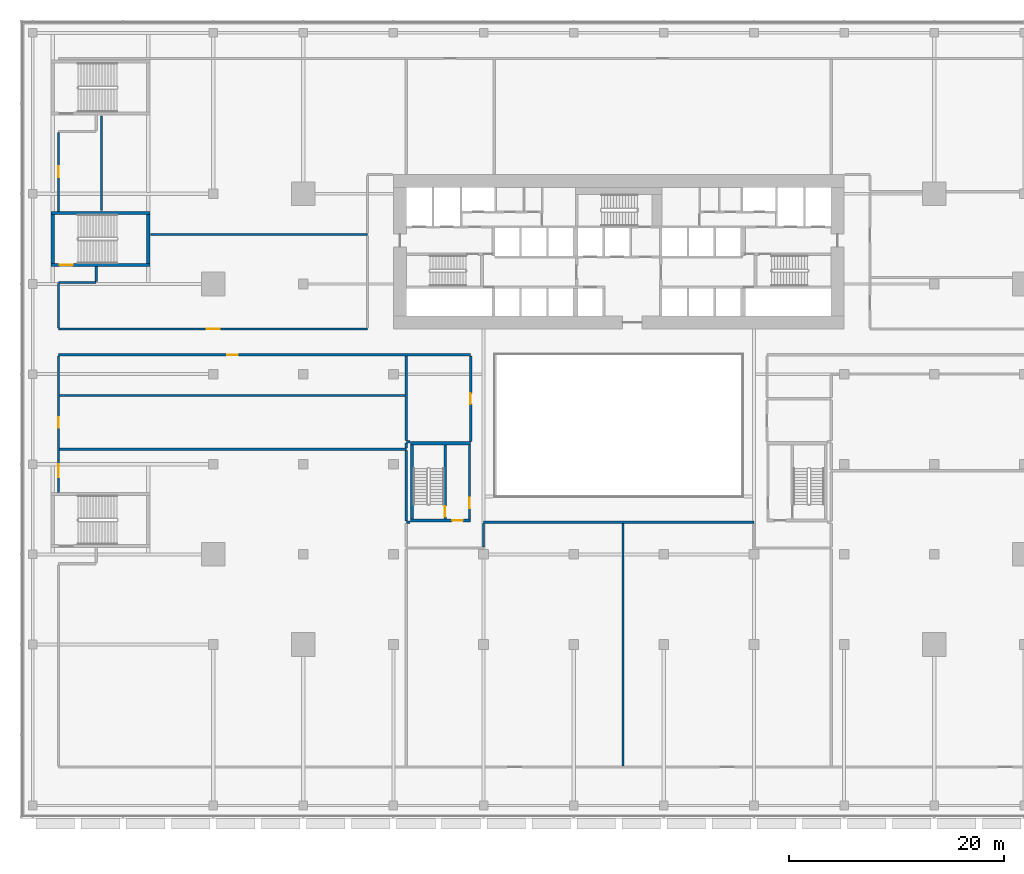
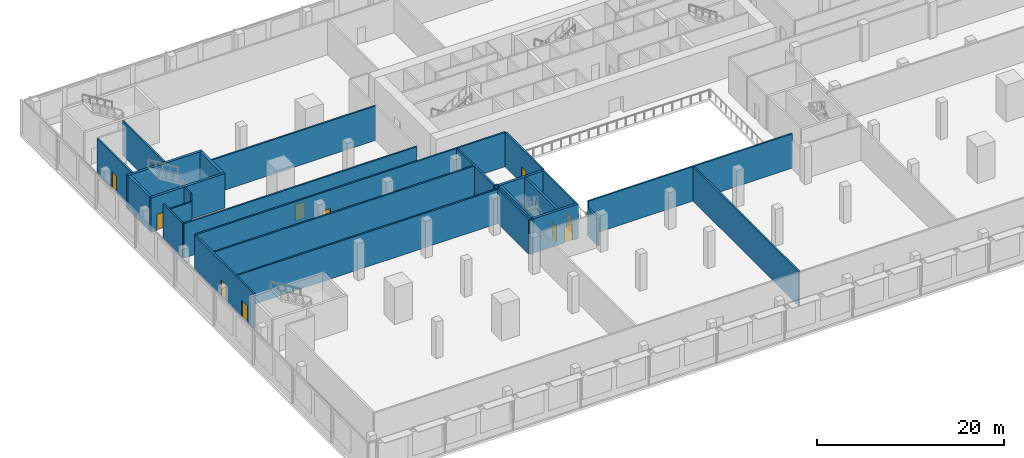
# One storey, part 27 of 39: 29 walls, 10 doors, 10 openings.
"""IFC4 building model written with IfcOpenShell, lengths in metres."""

from ifc_helpers import new_model, si_unit, direction, frame, frame_2d, origin, place, context, subcontext, project, spatial, rectangle, extrude, material, layer, layer_set, type_object, element, fill, save


model = new_model("IFC4")

# Units and contexts
model_context = context("Model", 3, precision=1e-05, world=origin(), true_north=direction((0.0, 1.0)))
body_context = subcontext(model_context, "Body", "Model", "MODEL_VIEW")
ifc_project = project(units=[si_unit("LENGTHUNIT", "METRE"), si_unit("AREAUNIT", "SQUARE_METRE"), si_unit("VOLUMEUNIT", "CUBIC_METRE"), si_unit("PLANEANGLEUNIT", "RADIAN"), si_unit("MASSUNIT", "GRAM", prefix="KILO")], contexts=[model_context])

# Site, building, storey
site_placement = place(None, origin())
site = spatial("IfcSite", under=ifc_project, at=site_placement, CompositionType="ELEMENT")
building_placement = place(site_placement, origin())
building = spatial("IfcBuilding", under=site, at=building_placement, Name="Saffron Gate Tower", CompositionType="ELEMENT")
storey_placement = place(building_placement, frame((0.0, 0.0, 14.39990234375)))
storey = spatial("IfcBuildingStorey", under=building, at=storey_placement, Name="L02", CompositionType="ELEMENT", Elevation=14.39990234375)

# Wall, opening, door
ifc_material_1 = material(Name="Gypsum board partition on steel studs", Category="steel")
ifc_layer_1 = layer(ifc_material_1, 0.199951171875)
ifc_layer_set_1 = layer_set([ifc_layer_1], Name="CW10 Core partition 200")
wall_type_1 = type_object("IfcWallType", Name="CW10 Core partition 200", PredefinedType="PARTITIONING", material=ifc_layer_set_1)
wall_1_placement = place(storey_placement, frame((73.699951171875, 43.5, 0.0), z_axis=(0.0, 0.0, 1.0), x_axis=(0.0, 1.0, 0.0)))
wall_1 = element("IfcWall", 1, at=wall_1_placement, inside=storey, type_object=wall_type_1, Name="Wall CW10-L02-D-4", PredefinedType="PARTITIONING", context=body_context, shape_type="SweptSolid", body=[
    extrude(rectangle(XDim=6.89990234375, YDim=0.199951171875, at=frame_2d((3.449951171875, 0.0))), origin(), (0.0, 0.0, 1.0), 4.5),
])
opening_1_placement = place(wall_1_placement, frame((1.0, 0.0, 0.0)))
opening_1 = element("IfcOpeningElement", 2, at=opening_1_placement, cuts=wall_1, Name="Opening CR-19", PredefinedType="OPENING", context=body_context, shape_type="SweptSolid", body=[
    extrude(rectangle(XDim=1.0, YDim=2.10009765625, at=frame_2d((0.5, 1.050048828125))), frame((0.0, 0.10986328125, 0.0), z_axis=(0.0, -1.0, 0.0), x_axis=(1.0, 0.0, 0.0)), (0.0, 0.0, 1.0), 0.219970703125),
])
ifc_material_2 = material(Name="Steel fire door set", Category="steel")
door_type_1 = type_object("IfcDoorType", Name="CD4 Lobby door 1000x2100 EI 120", OperationType="NOTDEFINED", PredefinedType="DOOR", material=ifc_material_2)
door_1_placement = place(opening_1_placement, origin())
door_1 = element("IfcDoor", 3, at=door_1_placement, inside=storey, type_object=door_type_1, Name="DOOR CR-19", OperationType="SINGLE_SWING_RIGHT", OverallHeight=2.10009765625, OverallWidth=1.0, PredefinedType="DOOR", context=body_context, shape_type="SweptSolid", body=[
    extrude(rectangle(XDim=1.0, YDim=2.10009765625, at=frame_2d((0.5, 1.050048828125))), frame((0.0, 0.02490234375, 0.0), z_axis=(0.0, -1.0, 0.0), x_axis=(1.0, 0.0, 0.0)), (0.0, 0.0, 1.0), 0.050048828125),
])
fill(opening_1, door_1)

# Wall
ifc_material_3 = material(Name="Concrete C70", Category="concrete")
ifc_layer_2 = layer(ifc_material_3, 0.25)
ifc_layer_set_2 = layer_set([ifc_layer_2], Name="CW2 RC core wall 250 C70")
wall_type_2 = type_object("IfcWallType", Name="CW2 RC core wall 250 C70", PredefinedType="SOLIDWALL", material=ifc_layer_set_2)
wall_2_placement = place(storey_placement, frame((68.324951171875, 43.5, 0.0), z_axis=(0.0, 0.0, 1.0), x_axis=(0.0, 1.0, 0.0)))
element("IfcWall", 4, at=wall_2_placement, inside=storey, type_object=wall_type_2, Name="Wall CW2-L02-D-2", PredefinedType="SOLIDWALL", context=body_context, shape_type="SweptSolid", body=[
    extrude(rectangle(XDim=6.89990234375, YDim=0.25, at=frame_2d((3.449951171875, 0.0))), origin(), (0.0, 0.0, 1.0), 4.5),
])

# Wall, opening, door
wall_3_placement = place(storey_placement, frame((71.425048828125, 43.5, 0.0), z_axis=(0.0, 0.0, 1.0), x_axis=(0.0, 1.0, 0.0)))
wall_3 = element("IfcWall", 5, at=wall_3_placement, inside=storey, type_object=wall_type_2, Name="Wall CW2-L02-D-3", PredefinedType="SOLIDWALL", context=body_context, shape_type="SweptSolid", body=[
    extrude(rectangle(XDim=6.89990234375, YDim=0.25, at=frame_2d((3.449951171875, 0.0))), origin(), (0.0, 0.0, 1.0), 4.5),
])
opening_2_placement = place(wall_3_placement, frame((0.199951171875, 0.0, 0.0)))
opening_2 = element("IfcOpeningElement", 6, at=opening_2_placement, cuts=wall_3, Name="Opening CR-20", PredefinedType="OPENING", context=body_context, shape_type="SweptSolid", body=[
    extrude(rectangle(XDim=1.0, YDim=2.10009765625, at=frame_2d((0.5, 1.050048828125))), frame((0.0, 0.135009765625, 0.0), z_axis=(0.0, -1.0, 0.0), x_axis=(1.0, 0.0, 0.0)), (0.0, 0.0, 1.0), 0.27001953125),
])
door_type_2 = type_object("IfcDoorType", Name="CD5 Stair door 1000x2100 EI 120", OperationType="NOTDEFINED", PredefinedType="DOOR", material=ifc_material_2)
door_2_placement = place(opening_2_placement, origin())
door_2 = element("IfcDoor", 7, at=door_2_placement, inside=storey, type_object=door_type_2, Name="DOOR CR-20", OperationType="SINGLE_SWING_LEFT", OverallHeight=2.10009765625, OverallWidth=1.0, PredefinedType="DOOR", context=body_context, shape_type="SweptSolid", body=[
    extrude(rectangle(XDim=1.0, YDim=2.10009765625, at=frame_2d((0.5, 1.050048828125))), frame((0.0, 0.02490234375, 0.0), z_axis=(0.0, -1.0, 0.0), x_axis=(1.0, 0.0, 0.0)), (0.0, 0.0, 1.0), 0.050048828125),
])
fill(opening_2, door_2)

ifc_layer_3 = layer(ifc_material_3, 0.300048828125)
ifc_layer_set_3 = layer_set([ifc_layer_3], Name="CW5 RC core wall 300 C70")
wall_type_3 = type_object("IfcWallType", Name="CW5 RC core wall 300 C70", PredefinedType="SOLIDWALL", material=ifc_layer_set_3)
wall_4_placement = place(storey_placement, frame((68.199951171875, 43.35009765625, 0.0), z_axis=(0.0, 0.0, 1.0), x_axis=(1.0, 0.0, 0.0)))
wall_4 = element("IfcWall", 8, at=wall_4_placement, inside=storey, type_object=wall_type_3, Name="Wall CW5-L02-D-1", PredefinedType="SOLIDWALL", context=body_context, shape_type="SweptSolid", body=[
    extrude(rectangle(XDim=5.60009765625, YDim=0.300048828125, at=frame_2d((2.800048828125, 0.0))), origin(), (0.0, 0.0, 1.0), 4.5),
])
opening_3_placement = place(wall_4_placement, frame((3.875, 0.0, 0.0)))
opening_3 = element("IfcOpeningElement", 9, at=opening_3_placement, cuts=wall_4, Name="Opening CR-18", PredefinedType="OPENING", context=body_context, shape_type="SweptSolid", body=[
    extrude(rectangle(XDim=1.0, YDim=2.10009765625, at=frame_2d((0.5, 1.050048828125))), frame((0.0, 0.16015625, 0.0), z_axis=(0.0, -1.0, 0.0), x_axis=(1.0, 0.0, 0.0)), (0.0, 0.0, 1.0), 0.320068359375),
])
door_3_placement = place(opening_3_placement, origin())
door_3 = element("IfcDoor", 10, at=door_3_placement, inside=storey, type_object=door_type_1, Name="DOOR CR-18", OperationType="SINGLE_SWING_RIGHT", OverallHeight=2.10009765625, OverallWidth=1.0, PredefinedType="DOOR", context=body_context, shape_type="SweptSolid", body=[
    extrude(rectangle(XDim=1.0, YDim=2.10009765625, at=frame_2d((0.5, 1.050048828125))), frame((0.0, 0.02490234375, 0.0), z_axis=(0.0, -1.0, 0.0), x_axis=(1.0, 0.0, 0.0)), (0.0, 0.0, 1.0), 0.050048828125),
])
fill(opening_3, door_3)

# Wall
wall_5_placement = place(storey_placement, frame((68.199951171875, 50.550048828125, 0.0), z_axis=(0.0, 0.0, 1.0), x_axis=(1.0, 0.0, 0.0)))
element("IfcWall", 11, at=wall_5_placement, inside=storey, type_object=wall_type_3, Name="Wall CW5-L02-D-5", PredefinedType="SOLIDWALL", context=body_context, shape_type="SweptSolid", body=[
    extrude(rectangle(XDim=5.60009765625, YDim=0.300048828125, at=frame_2d((2.800048828125, 0.0))), origin(), (0.0, 0.0, 1.0), 4.5),
])

# Wall, opening, door
wall_6_placement = place(storey_placement, frame((34.699951171875, 67.175048828125, 0.0), z_axis=(0.0, 0.0, 1.0), x_axis=(1.0, 0.0, 0.0)))
wall_6 = element("IfcWall", 12, at=wall_6_placement, inside=storey, type_object=wall_type_3, Name="Wall CW5-L02-G-1", PredefinedType="SOLIDWALL", context=body_context, shape_type="SweptSolid", body=[
    extrude(rectangle(XDim=9.199951171875, YDim=0.300048828125, at=frame_2d((4.60009765625, 0.0))), origin(), (0.0, 0.0, 1.0), 4.5),
])
opening_4_placement = place(wall_6_placement, frame((0.800048828125, 0.0, 0.0)))
opening_4 = element("IfcOpeningElement", 13, at=opening_4_placement, cuts=wall_6, Name="Opening CR-29", PredefinedType="OPENING", context=body_context, shape_type="SweptSolid", body=[
    extrude(rectangle(XDim=1.199951171875, YDim=2.10009765625, at=frame_2d((0.60009765625, 1.050048828125))), frame((0.0, 0.16015625, 0.0), z_axis=(0.0, -1.0, 0.0), x_axis=(1.0, 0.0, 0.0)), (0.0, 0.0, 1.0), 0.320068359375),
])
door_type_3 = type_object("IfcDoorType", Name="CD12 Stair door 1200x2100 EI 120", OperationType="NOTDEFINED", PredefinedType="DOOR", material=ifc_material_2)
door_4_placement = place(opening_4_placement, origin())
door_4 = element("IfcDoor", 14, at=door_4_placement, inside=storey, type_object=door_type_3, Name="DOOR CR-29", OperationType="SINGLE_SWING_RIGHT", OverallHeight=2.10009765625, OverallWidth=1.199951171875, PredefinedType="DOOR", context=body_context, shape_type="SweptSolid", body=[
    extrude(rectangle(XDim=1.199951171875, YDim=2.10009765625, at=frame_2d((0.60009765625, 1.050048828125))), frame((0.0, 0.02490234375, 0.0), z_axis=(0.0, -1.0, 0.0), x_axis=(1.0, 0.0, 0.0)), (0.0, 0.0, 1.0), 0.050048828125),
])
fill(opening_4, door_4)

# Walls
for number, where, z_axis, x_axis, name in (
    (15, (34.85009765625, 67.324951171875, 0.0), (0.0, 0.0, 1.0), (0.0, 1.0, 0.0), "Wall CW5-L02-G-2"),
    (16, (43.75, 67.324951171875, 0.0), (0.0, 0.0, 1.0), (0.0, 1.0, 0.0), "Wall CW5-L02-G-3"),
):
    element("IfcWall", number, at=place(storey_placement, frame(where, z_axis=z_axis, x_axis=x_axis)), inside=storey, type_object=wall_type_3, Name=name, PredefinedType="SOLIDWALL", context=body_context, shape_type="SweptSolid", body=[
        extrude(rectangle(XDim=4.550048828125, YDim=0.300048828125, at=frame_2d((2.27490234375, 0.0))), origin(), (0.0, 0.0, 1.0), 4.5),
    ])
wall_7_placement = place(storey_placement, frame((34.699951171875, 72.02490234375, 0.0), z_axis=(0.0, 0.0, 1.0), x_axis=(1.0, 0.0, 0.0)))
element("IfcWall", 17, at=wall_7_placement, inside=storey, type_object=wall_type_3, Name="Wall CW5-L02-G-4", PredefinedType="SOLIDWALL", context=body_context, shape_type="SweptSolid", body=[
    extrude(rectangle(XDim=9.199951171875, YDim=0.300048828125, at=frame_2d((4.60009765625, 0.0))), origin(), (0.0, 0.0, 1.0), 4.5),
])
ifc_material_4 = material(Name="Clay brick masonry, rendered", Category="masonry")
ifc_layer_4 = layer(ifc_material_4, 0.199951171875)
ifc_layer_set_4 = layer_set([ifc_layer_4], Name="PW2 Demising wall 200")
wall_type_4 = type_object("IfcWallType", Name="PW2 Demising wall 200", PredefinedType="PARTITIONING", material=ifc_layer_set_4)
wall_8_placement = place(storey_placement, frame((35.5, 55.0, 0.0), z_axis=(0.0, 0.0, 1.0), x_axis=(1.0, 0.0, 0.0)))
element("IfcWall", 18, at=wall_8_placement, inside=storey, type_object=wall_type_4, Name="Wall P2-14", PredefinedType="PARTITIONING", context=body_context, shape_type="SweptSolid", body=[
    extrude(rectangle(XDim=32.199951171875, YDim=0.199951171875, at=frame_2d((16.10009765625, 0.0))), origin(), (0.0, 0.0, 1.0), 4.5),
])
wall_9_placement = place(storey_placement, frame((67.800048828125, 58.699951171875, 0.0), z_axis=(0.0, 0.0, 1.0), x_axis=(0.0, -1.0, 0.0)))
element("IfcWall", 19, at=wall_9_placement, inside=storey, type_object=wall_type_4, Name="Wall P2-50", PredefinedType="PARTITIONING", context=body_context, shape_type="SweptSolid", body=[
    extrude(rectangle(XDim=7.89990234375, YDim=0.199951171875, at=frame_2d((3.949951171875, 0.0))), origin(), (0.0, 0.0, 1.0), 4.5),
])
ifc_layer_5 = layer(ifc_material_4, 0.199951171875)
ifc_layer_set_5 = layer_set([ifc_layer_5], Name="PW3 Corridor wall 200")
wall_type_5 = type_object("IfcWallType", Name="PW3 Corridor wall 200", PredefinedType="PARTITIONING", material=ifc_layer_set_5)
wall_10_placement = place(storey_placement, frame((75.0, 43.199951171875, 0.0), z_axis=(0.0, 0.0, 1.0), x_axis=(1.0, 0.0, 0.0)))
element("IfcWall", 20, at=wall_10_placement, inside=storey, type_object=wall_type_5, Name="Wall P2-6", PredefinedType="PARTITIONING", context=body_context, shape_type="SweptSolid", body=[
    extrude(rectangle(XDim=25.199951171875, YDim=0.199951171875, at=frame_2d((12.60009765625, 0.0))), origin(), (0.0, 0.0, 1.0), 4.5),
])

# Wall, opening, door
wall_11_placement = place(storey_placement, frame((73.800048828125, 58.800048828125, 0.0), z_axis=(0.0, 0.0, 1.0), x_axis=(-1.0, 0.0, 0.0)))
wall_11 = element("IfcWall", 21, at=wall_11_placement, inside=storey, type_object=wall_type_5, Name="Wall P2-19", PredefinedType="PARTITIONING", context=body_context, shape_type="SweptSolid", body=[
    extrude(rectangle(XDim=38.400146484375, YDim=0.199951171875, at=frame_2d((19.2001953125, 0.0))), origin(), (0.0, 0.0, 1.0), 4.5),
])
opening_5_placement = place(wall_11_placement, frame((21.699951171875, 0.0, 0.0)))
opening_5 = element("IfcOpeningElement", 22, at=opening_5_placement, cuts=wall_11, Name="Opening P2-8", PredefinedType="OPENING", context=body_context, shape_type="SweptSolid", body=[
    extrude(rectangle(XDim=1.0, YDim=2.10009765625, at=frame_2d((0.5, 1.050048828125))), frame((0.0, 0.10986328125, 0.0), z_axis=(0.0, -1.0, 0.0), x_axis=(1.0, 0.0, 0.0)), (0.0, 0.0, 1.0), 0.219970703125),
])
ifc_material_5 = material(Name="Timber door set", Category="wood")
door_type_4 = type_object("IfcDoorType", Name="RD1 Room door 900x2100", OperationType="NOTDEFINED", PredefinedType="DOOR", material=ifc_material_5)
door_5_placement = place(opening_5_placement, origin())
door_5 = element("IfcDoor", 23, at=door_5_placement, inside=storey, type_object=door_type_4, Name="Door P2-8", OperationType="SINGLE_SWING_LEFT", OverallHeight=2.10009765625, OverallWidth=1.0, PredefinedType="DOOR", context=body_context, shape_type="SweptSolid", body=[
    extrude(rectangle(XDim=1.0, YDim=2.10009765625, at=frame_2d((0.5, 1.050048828125))), frame((0.0, 0.02490234375, 0.0), z_axis=(0.0, -1.0, 0.0), x_axis=(1.0, 0.0, 0.0)), (0.0, 0.0, 1.0), 0.050048828125),
])
fill(opening_5, door_5)

wall_12_placement = place(storey_placement, frame((35.39990234375, 61.199951171875, 0.0), z_axis=(0.0, 0.0, 1.0), x_axis=(1.0, 0.0, 0.0)))
wall_12 = element("IfcWall", 24, at=wall_12_placement, inside=storey, type_object=wall_type_5, Name="Wall P2-21", PredefinedType="PARTITIONING", context=body_context, shape_type="SweptSolid", body=[
    extrude(rectangle(XDim=28.800048828125, YDim=0.199951171875, at=frame_2d((14.39990234375, 0.0))), origin(), (0.0, 0.0, 1.0), 4.5),
])
opening_6_placement = place(wall_12_placement, frame((13.800048828125, 0.0, 0.0)))
opening_6 = element("IfcOpeningElement", 25, at=opening_6_placement, cuts=wall_12, Name="Opening P2-16", PredefinedType="OPENING", context=body_context, shape_type="SweptSolid", body=[
    extrude(rectangle(XDim=1.199951171875, YDim=2.10009765625, at=frame_2d((0.60009765625, 1.050048828125))), frame((0.0, 0.10986328125, 0.0), z_axis=(0.0, -1.0, 0.0), x_axis=(1.0, 0.0, 0.0)), (0.0, 0.0, 1.0), 0.219970703125),
])
door_type_5 = type_object("IfcDoorType", Name="HD1 Hall door 1200x2100", OperationType="NOTDEFINED", PredefinedType="DOOR", material=ifc_material_5)
door_6_placement = place(opening_6_placement, origin())
door_6 = element("IfcDoor", 26, at=door_6_placement, inside=storey, type_object=door_type_5, Name="Door P2-16", OperationType="SINGLE_SWING_LEFT", OverallHeight=2.10009765625, OverallWidth=1.199951171875, PredefinedType="DOOR", context=body_context, shape_type="SweptSolid", body=[
    extrude(rectangle(XDim=1.199951171875, YDim=2.10009765625, at=frame_2d((0.60009765625, 1.050048828125))), frame((0.0, 0.02490234375, 0.0), z_axis=(0.0, -1.0, 0.0), x_axis=(1.0, 0.0, 0.0)), (0.0, 0.0, 1.0), 0.050048828125),
])
fill(opening_6, door_6)

# Wall
wall_13_placement = place(storey_placement, frame((35.39990234375, 65.52490234375, 0.0), z_axis=(0.0, 0.0, 1.0), x_axis=(1.0, 0.0, 0.0)))
element("IfcWall", 27, at=wall_13_placement, inside=storey, type_object=wall_type_5, Name="Wall P2-23", PredefinedType="PARTITIONING", context=body_context, shape_type="SweptSolid", body=[
    extrude(rectangle(XDim=3.5, YDim=0.199951171875, at=frame_2d((1.75, 0.0))), origin(), (0.0, 0.0, 1.0), 3.510009765625),
])

# Wall, openings, doors
wall_14_placement = place(storey_placement, frame((35.39990234375, 58.699951171875, 0.0), z_axis=(0.0, 0.0, 1.0), x_axis=(0.0, -1.0, 0.0)))
wall_14 = element("IfcWall", 28, at=wall_14_placement, inside=storey, type_object=wall_type_5, Name="Wall P2-40", PredefinedType="PARTITIONING", context=body_context, shape_type="SweptSolid", body=[
    extrude(rectangle(XDim=12.724853515625, YDim=0.199951171875, at=frame_2d((6.3623046875, 0.0))), origin(), (0.0, 0.0, 1.0), 4.5),
])
opening_7_placement = place(wall_14_placement, frame((5.699951171875, 0.0, 0.0)))
opening_7 = element("IfcOpeningElement", 29, at=opening_7_placement, cuts=wall_14, Name="Opening P2-4", PredefinedType="OPENING", context=body_context, shape_type="SweptSolid", body=[
    extrude(rectangle(XDim=1.0, YDim=2.10009765625, at=frame_2d((0.5, 1.050048828125))), frame((0.0, 0.10986328125, 0.0), z_axis=(0.0, -1.0, 0.0), x_axis=(1.0, 0.0, 0.0)), (0.0, 0.0, 1.0), 0.219970703125),
])
opening_8_placement = place(wall_14_placement, frame((10.112548828125, 0.0, 0.0)))
opening_8 = element("IfcOpeningElement", 30, at=opening_8_placement, cuts=wall_14, Name="Opening P2-13", PredefinedType="OPENING", context=body_context, shape_type="SweptSolid", body=[
    extrude(rectangle(XDim=1.199951171875, YDim=2.10009765625, at=frame_2d((0.60009765625, 1.050048828125))), frame((0.0, 0.10986328125, 0.0), z_axis=(0.0, -1.0, 0.0), x_axis=(1.0, 0.0, 0.0)), (0.0, 0.0, 1.0), 0.219970703125),
])
door_7_placement = place(opening_8_placement, origin())
door_7 = element("IfcDoor", 31, at=door_7_placement, inside=storey, type_object=door_type_5, Name="Door P2-13", OperationType="SINGLE_SWING_RIGHT", OverallHeight=2.10009765625, OverallWidth=1.199951171875, PredefinedType="DOOR", context=body_context, shape_type="SweptSolid", body=[
    extrude(rectangle(XDim=1.199951171875, YDim=2.10009765625, at=frame_2d((0.60009765625, 1.050048828125))), frame((0.0, 0.02490234375, 0.0), z_axis=(0.0, -1.0, 0.0), x_axis=(1.0, 0.0, 0.0)), (0.0, 0.0, 1.0), 0.050048828125),
])
fill(opening_8, door_7)
door_8_placement = place(opening_7_placement, origin())
door_8 = element("IfcDoor", 32, at=door_8_placement, inside=storey, type_object=door_type_4, Name="Door P2-4", OperationType="SINGLE_SWING_RIGHT", OverallHeight=2.10009765625, OverallWidth=1.0, PredefinedType="DOOR", context=body_context, shape_type="SweptSolid", body=[
    extrude(rectangle(XDim=1.0, YDim=2.10009765625, at=frame_2d((0.5, 1.050048828125))), frame((0.0, 0.02490234375, 0.0), z_axis=(0.0, -1.0, 0.0), x_axis=(1.0, 0.0, 0.0)), (0.0, 0.0, 1.0), 0.050048828125),
])
fill(opening_7, door_8)

# Wall
wall_15_placement = place(storey_placement, frame((35.39990234375, 65.425048828125, 0.0), z_axis=(0.0, 0.0, 1.0), x_axis=(0.0, -1.0, 0.0)))
element("IfcWall", 33, at=wall_15_placement, inside=storey, type_object=wall_type_5, Name="Wall P2-41", PredefinedType="PARTITIONING", context=body_context, shape_type="SweptSolid", body=[
    extrude(rectangle(XDim=4.125, YDim=0.199951171875, at=frame_2d((2.0625, 0.0))), origin(), (0.0, 0.0, 1.0), 4.5),
])

# Wall, opening, door
wall_16_placement = place(storey_placement, frame((35.39990234375, 79.52490234375, 0.0), z_axis=(0.0, 0.0, 1.0), x_axis=(0.0, -1.0, 0.0)))
wall_16 = element("IfcWall", 34, at=wall_16_placement, inside=storey, type_object=wall_type_5, Name="Wall P2-42", PredefinedType="PARTITIONING", context=body_context, shape_type="SweptSolid", body=[
    extrude(rectangle(XDim=7.349853515625, YDim=0.199951171875, at=frame_2d((3.6748046875, 0.0))), origin(), (0.0, 0.0, 1.0), 4.5),
])
opening_9_placement = place(wall_16_placement, frame((3.175048828125, 0.0, 0.0)))
opening_9 = element("IfcOpeningElement", 35, at=opening_9_placement, cuts=wall_16, Name="Opening P2-5", PredefinedType="OPENING", context=body_context, shape_type="SweptSolid", body=[
    extrude(rectangle(XDim=1.0, YDim=2.10009765625, at=frame_2d((0.5, 1.050048828125))), frame((0.0, 0.10986328125, 0.0), z_axis=(0.0, -1.0, 0.0), x_axis=(1.0, 0.0, 0.0)), (0.0, 0.0, 1.0), 0.219970703125),
])
door_9_placement = place(opening_9_placement, origin())
door_9 = element("IfcDoor", 36, at=door_9_placement, inside=storey, type_object=door_type_4, Name="Door P2-5", OperationType="SINGLE_SWING_RIGHT", OverallHeight=2.10009765625, OverallWidth=1.0, PredefinedType="DOOR", context=body_context, shape_type="SweptSolid", body=[
    extrude(rectangle(XDim=1.0, YDim=2.10009765625, at=frame_2d((0.5, 1.050048828125))), frame((0.0, 0.02490234375, 0.0), z_axis=(0.0, -1.0, 0.0), x_axis=(1.0, 0.0, 0.0)), (0.0, 0.0, 1.0), 0.050048828125),
])
fill(opening_9, door_9)

# Wall
wall_17_placement = place(storey_placement, frame((38.89990234375, 67.02490234375, 0.0), z_axis=(0.0, 0.0, 1.0), x_axis=(0.0, -1.0, 0.0)))
element("IfcWall", 37, at=wall_17_placement, inside=storey, type_object=wall_type_5, Name="Wall P2-44", PredefinedType="PARTITIONING", context=body_context, shape_type="SweptSolid", body=[
    extrude(rectangle(XDim=1.39990234375, YDim=0.199951171875, at=frame_2d((0.699951171875, 0.0))), origin(), (0.0, 0.0, 1.0), 4.5),
])

# Wall, opening, door
wall_18_placement = place(storey_placement, frame((73.800048828125, 50.699951171875, 0.0), z_axis=(0.0, 0.0, 1.0), x_axis=(0.0, 1.0, 0.0)))
wall_18 = element("IfcWall", 38, at=wall_18_placement, inside=storey, type_object=wall_type_5, Name="Wall P2-55", PredefinedType="PARTITIONING", context=body_context, shape_type="SweptSolid", body=[
    extrude(rectangle(XDim=8.0, YDim=0.199951171875, at=frame_2d((4.0, 0.0))), origin(), (0.0, 0.0, 1.0), 4.5),
])
opening_10_placement = place(wall_18_placement, frame((3.5, 0.0, 0.0)))
opening_10 = element("IfcOpeningElement", 39, at=opening_10_placement, cuts=wall_18, Name="Opening P2-7", PredefinedType="OPENING", context=body_context, shape_type="SweptSolid", body=[
    extrude(rectangle(XDim=1.0, YDim=2.10009765625, at=frame_2d((0.5, 1.050048828125))), frame((0.0, 0.10986328125, 0.0), z_axis=(0.0, -1.0, 0.0), x_axis=(1.0, 0.0, 0.0)), (0.0, 0.0, 1.0), 0.219970703125),
])
door_10_placement = place(opening_10_placement, origin())
door_10 = element("IfcDoor", 40, at=door_10_placement, inside=storey, type_object=door_type_4, Name="Door P2-7", OperationType="SINGLE_SWING_LEFT", OverallHeight=2.10009765625, OverallWidth=1.0, PredefinedType="DOOR", context=body_context, shape_type="SweptSolid", body=[
    extrude(rectangle(XDim=1.0, YDim=2.10009765625, at=frame_2d((0.5, 1.050048828125))), frame((0.0, 0.02490234375, 0.0), z_axis=(0.0, -1.0, 0.0), x_axis=(1.0, 0.0, 0.0)), (0.0, 0.0, 1.0), 0.050048828125),
])
fill(opening_10, door_10)

# Walls
wall_19_placement = place(storey_placement, frame((75.0, 43.10009765625, 0.0), z_axis=(0.0, 0.0, 1.0), x_axis=(0.0, -1.0, 0.0)))
element("IfcWall", 41, at=wall_19_placement, inside=storey, type_object=wall_type_5, Name="Wall P2-56", PredefinedType="PARTITIONING", context=body_context, shape_type="SweptSolid", body=[
    extrude(rectangle(XDim=2.2001953125, YDim=0.199951171875, at=frame_2d((1.10009765625, 0.0))), origin(), (0.0, 0.0, 1.0), 3.60009765625),
])
ifc_layer_6 = layer(ifc_material_4, 0.199951171875)
ifc_layer_set_6 = layer_set([ifc_layer_6], Name="PW5 Room wall 200")
wall_type_6 = type_object("IfcWallType", Name="PW5 Room wall 200", PredefinedType="PARTITIONING", material=ifc_layer_set_6)
wall_20_placement = place(storey_placement, frame((67.820068359375, 43.199951171875, 0.0), z_axis=(0.0, 0.0, 1.0), x_axis=(1.0, 0.0, 0.0)))
element("IfcWall", 42, at=wall_20_placement, inside=storey, type_object=wall_type_6, Name="Wall P2-7", PredefinedType="PARTITIONING", context=body_context, shape_type="SweptSolid", body=[
    extrude(rectangle(XDim=0.329833984375, YDim=0.199951171875, at=frame_2d((0.1650390625, 0.0))), origin(), (0.0, 0.0, 1.0), 4.5),
])
wall_21_placement = place(storey_placement, frame((35.5, 50.0, 0.0), z_axis=(0.0, 0.0, 1.0), x_axis=(1.0, 0.0, 0.0)))
element("IfcWall", 43, at=wall_21_placement, inside=storey, type_object=wall_type_6, Name="Wall P2-10", PredefinedType="PARTITIONING", context=body_context, shape_type="SweptSolid", body=[
    extrude(rectangle(XDim=32.300048828125, YDim=0.199951171875, at=frame_2d((16.14990234375, 0.0))), origin(), (0.0, 0.0, 1.0), 4.5),
])
wall_22_placement = place(storey_placement, frame((67.820068359375, 50.699951171875, 0.0), z_axis=(0.0, 0.0, 1.0), x_axis=(1.0, 0.0, 0.0)))
element("IfcWall", 44, at=wall_22_placement, inside=storey, type_object=wall_type_6, Name="Wall P2-11", PredefinedType="PARTITIONING", context=body_context, shape_type="SweptSolid", body=[
    extrude(rectangle(XDim=0.329833984375, YDim=0.199951171875, at=frame_2d((0.1650390625, 0.0))), origin(), (0.0, 0.0, 1.0), 4.5),
])
wall_23_placement = place(storey_placement, frame((43.949951171875, 70.0, 0.0), z_axis=(0.0, 0.0, 1.0), x_axis=(1.0, 0.0, 0.0)))
element("IfcWall", 45, at=wall_23_placement, inside=storey, type_object=wall_type_6, Name="Wall P2-27", PredefinedType="PARTITIONING", context=body_context, shape_type="SweptSolid", body=[
    extrude(rectangle(XDim=20.22998046875, YDim=0.199951171875, at=frame_2d((10.114990234375, 0.0))), origin(), (0.0, 0.0, 1.0), 4.5),
])
wall_24_placement = place(storey_placement, frame((39.39990234375, 81.074951171875, 0.0), z_axis=(0.0, 0.0, 1.0), x_axis=(0.0, -1.0, 0.0)))
element("IfcWall", 46, at=wall_24_placement, inside=storey, type_object=wall_type_6, Name="Wall P2-46", PredefinedType="PARTITIONING", context=body_context, shape_type="SweptSolid", body=[
    extrude(rectangle(XDim=8.849853515625, YDim=0.199951171875, at=frame_2d((4.4248046875, 0.0))), origin(), (0.0, 0.0, 1.0), 4.5),
])
wall_25_placement = place(storey_placement, frame((67.800048828125, 49.89990234375, 0.0), z_axis=(0.0, 0.0, 1.0), x_axis=(0.0, -1.0, 0.0)))
element("IfcWall", 47, at=wall_25_placement, inside=storey, type_object=wall_type_6, Name="Wall P2-51", PredefinedType="PARTITIONING", context=body_context, shape_type="SweptSolid", body=[
    extrude(rectangle(XDim=6.599853515625, YDim=0.199951171875, at=frame_2d((3.2998046875, 0.0))), origin(), (0.0, 0.0, 1.0), 4.5),
])
wall_26_placement = place(storey_placement, frame((67.800048828125, 50.60009765625, 0.0), z_axis=(0.0, 0.0, 1.0), x_axis=(0.0, -1.0, 0.0)))
element("IfcWall", 48, at=wall_26_placement, inside=storey, type_object=wall_type_6, Name="Wall P2-52", PredefinedType="PARTITIONING", context=body_context, shape_type="SweptSolid", body=[
    extrude(rectangle(XDim=0.5, YDim=0.199951171875, at=frame_2d((0.25, 0.0))), origin(), (0.0, 0.0, 1.0), 4.5),
])
wall_27_placement = place(storey_placement, frame((88.0, 43.10009765625, 0.0), z_axis=(0.0, 0.0, 1.0), x_axis=(0.0, -1.0, 0.0)))
element("IfcWall", 49, at=wall_27_placement, inside=storey, type_object=wall_type_6, Name="Wall P2-58", PredefinedType="PARTITIONING", context=body_context, shape_type="SweptSolid", body=[
    extrude(rectangle(XDim=22.60009765625, YDim=0.199951171875, at=frame_2d((11.300048828125, 0.0))), origin(), (0.0, 0.0, 1.0), 4.5),
])

save(model, "model.ifc")
